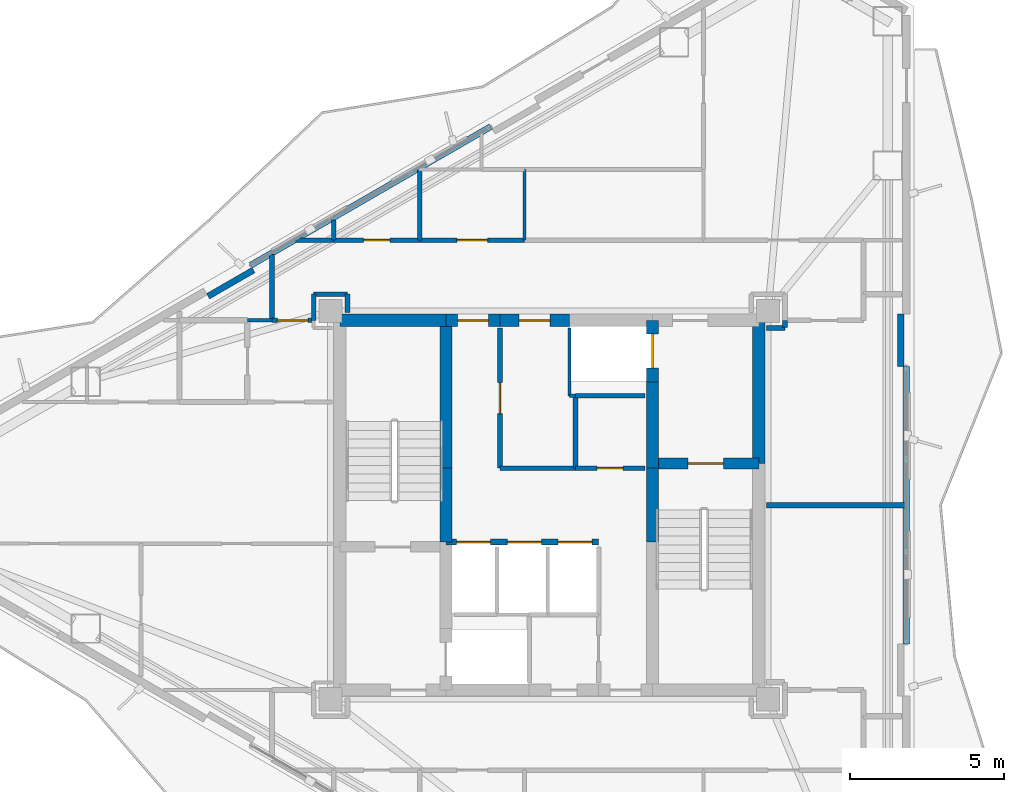
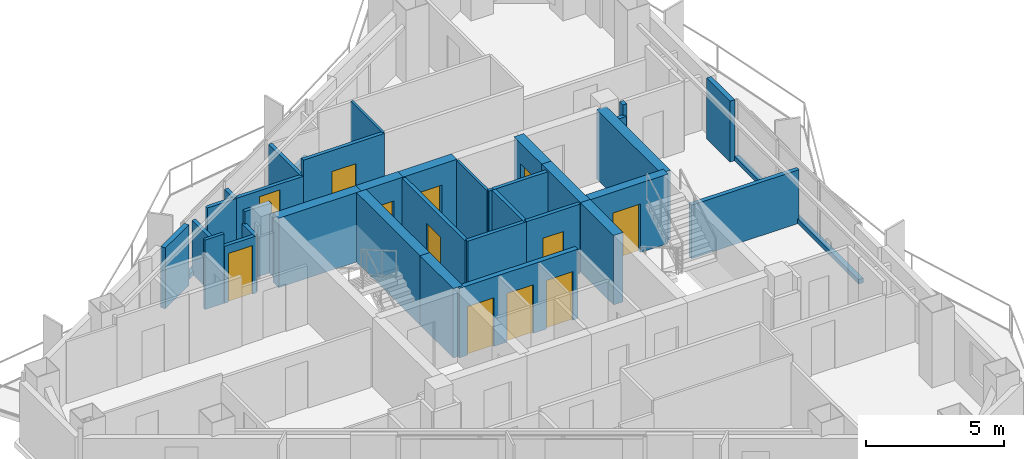
# One storey, part 18 of 21: 37 walls, 12 doors, 12 openings.
"""IFC4 building model written with IfcOpenShell, lengths in metres."""

from ifc_helpers import new_model, si_unit, direction, frame, frame_2d, origin, place, context, subcontext, project, spatial, rectangle, extrude, material, layer, layer_set, type_object, element, fill, save


model = new_model("IFC4")

# Units and contexts
model_context = context("Model", 3, precision=1e-05, world=origin(), true_north=direction((0.0, 1.0)))
body_context = subcontext(model_context, "Body", "Model", "MODEL_VIEW")
ifc_project = project(units=[si_unit("LENGTHUNIT", "METRE"), si_unit("AREAUNIT", "SQUARE_METRE"), si_unit("VOLUMEUNIT", "CUBIC_METRE"), si_unit("PLANEANGLEUNIT", "RADIAN"), si_unit("MASSUNIT", "GRAM", prefix="KILO")], contexts=[model_context])

# Site, building, storey
site_placement = place(None, origin())
site = spatial("IfcSite", under=ifc_project, at=site_placement, CompositionType="ELEMENT")
building_placement = place(site_placement, origin())
building = spatial("IfcBuilding", under=site, at=building_placement, Name="Mersakhor Tower and Convention Hall", CompositionType="ELEMENT")
storey_placement = place(building_placement, frame((0.0, 0.0, 185.39990234375)))
storey = spatial("IfcBuildingStorey", under=building, at=storey_placement, Name="L51", CompositionType="ELEMENT", Elevation=185.39990234375)

# Walls
ifc_material_1 = material(Name="Precast concrete C40/50", Category="concrete")
ifc_layer_1 = layer(ifc_material_1, 0.199951171875)
ifc_layer_set_1 = layer_set([ifc_layer_1], Name="Precast concrete C40/50")
wall_type_1 = type_object("IfcWallType", Name="WL-PAR-200", PredefinedType="PARAPET", material=ifc_layer_set_1)
wall_1_placement = place(storey_placement, frame((19.30908203125, 34.5361328125, 0.0), z_axis=(0.0, 0.0, 1.0), x_axis=(0.866020680503, 0.500008180874, 0.0)))
element("IfcWall", 1, at=wall_1_placement, inside=storey, type_object=wall_type_1, Name="L51 Curtain Wall Upstand Sill F1-B2", PredefinedType="PARAPET", context=body_context, shape_type="SweptSolid", body=[
    extrude(rectangle(XDim=8.998779296875, YDim=0.199951171875, at=frame_2d((4.49951171875, 0.0))), origin(), (0.0, 0.0, 1.0), 0.2001953125),
])
wall_2_placement = place(storey_placement, frame((17.927001953125, 33.5302734375, 0.0), z_axis=(0.0, 0.0, 1.0), x_axis=(0.86605165483, 0.499954529098, 0.0)))
element("IfcWall", 2, at=wall_2_placement, inside=storey, type_object=wall_type_1, Name="L51 Column Pier Cladding Wall F1-C1", PredefinedType="PARAPET", context=body_context, shape_type="SweptSolid", body=[
    extrude(rectangle(XDim=1.699951171875, YDim=0.199951171875, at=frame_2d((0.85009765625, 0.0))), origin(), (0.0, 0.0, 1.0), 2.690185546875),
])
wall_3_placement = place(storey_placement, frame((40.58837890625, 31.24951171875, 0.0), z_axis=(0.0, 0.0, 1.0), x_axis=(0.0, -1.0, 0.0)))
element("IfcWall", 3, at=wall_3_placement, inside=storey, type_object=wall_type_1, Name="L51 Curtain Wall Upstand Sill F2-B2", PredefinedType="PARAPET", context=body_context, shape_type="SweptSolid", body=[
    extrude(rectangle(XDim=8.9990234375, YDim=0.199951171875, at=frame_2d((4.49951171875, 0.0))), origin(), (0.0, 0.0, 1.0), 0.2001953125),
])
wall_4_placement = place(storey_placement, frame((40.408447265625, 32.949462890625, 0.0), z_axis=(0.0, 0.0, 1.0), x_axis=(0.0, -1.0, 0.0)))
element("IfcWall", 4, at=wall_4_placement, inside=storey, type_object=wall_type_1, Name="L51 Column Pier Cladding Wall F2-C1", PredefinedType="PARAPET", context=body_context, shape_type="SweptSolid", body=[
    extrude(rectangle(XDim=1.699951171875, YDim=0.199951171875, at=frame_2d((0.85009765625, 0.0))), origin(), (0.0, 0.0, 1.0), 2.690185546875),
])
ifc_material_2 = material(Name="Moisture-resistant acoustic drywall studwork", Category="other")
ifc_layer_2 = layer(ifc_material_2, 0.175048828125)
ifc_layer_set_2 = layer_set([ifc_layer_2], Name="Moisture-resistant acoustic drywall studwork")
wall_type_2 = type_object("IfcWallType", Name="WL-PLM-175", PredefinedType="PLUMBINGWALL", material=ifc_layer_set_2)
wall_5_placement = place(storey_placement, frame((36.050048828125, 32.5, 0.0), z_axis=(0.0, 0.0, 1.0), x_axis=(1.0, 0.0, 0.0)))
element("IfcWall", 5, at=wall_5_placement, inside=storey, type_object=wall_type_2, Name="L51 Interior Partition Wall P-053", PredefinedType="PLUMBINGWALL", context=body_context, shape_type="SweptSolid", body=[
    extrude(rectangle(XDim=0.599853515625, YDim=0.175048828125, at=frame_2d((0.2998046875, 0.0))), origin(), (0.0, 0.0, 1.0), 2.59521484375),
])
wall_6_placement = place(storey_placement, frame((36.64990234375, 32.514892578125, 0.0), z_axis=(0.0, 0.0, 1.0), x_axis=(0.0, 1.0, 0.0)))
element("IfcWall", 6, at=wall_6_placement, inside=storey, type_object=wall_type_2, Name="L51 Interior Partition Wall P-054", PredefinedType="PLUMBINGWALL", context=body_context, shape_type="SweptSolid", body=[
    extrude(rectangle(XDim=0.235107421875, YDim=0.175048828125, at=frame_2d((0.11767578125, 0.0))), origin(), (0.0, 0.0, 1.0), 3.070068359375),
])
wall_7_placement = place(storey_placement, frame((40.55029296875, 26.75, 0.0), z_axis=(0.0, 0.0, 1.0), x_axis=(-1.0, 0.0, 0.0)))
element("IfcWall", 7, at=wall_7_placement, inside=storey, type_object=wall_type_2, Name="L51 Interior Partition Wall P-056", PredefinedType="PLUMBINGWALL", context=body_context, shape_type="SweptSolid", body=[
    extrude(rectangle(XDim=4.500244140625, YDim=0.175048828125, at=frame_2d((2.25, 0.0))), origin(), (0.0, 0.0, 1.0), 2.364990234375),
])
ifc_material_3 = material(Name="Lightweight gypsum partition", Category="other")
ifc_layer_3 = layer(ifc_material_3, 0.10009765625)
ifc_layer_set_3 = layer_set([ifc_layer_3], Name="Lightweight gypsum partition")
wall_type_3 = type_object("IfcWallType", Name="WL-PRT-100", PredefinedType="PARTITIONING", material=ifc_layer_set_3)
wall_8_placement = place(storey_placement, frame((29.64990234375, 30.300048828125, 0.0), z_axis=(0.0, 0.0, 1.0), x_axis=(0.0, 1.0, 0.0)))
element("IfcWall", 8, at=wall_8_placement, inside=storey, type_object=wall_type_3, Name="L51 Interior Partition Wall P-006", PredefinedType="PARTITIONING", context=body_context, shape_type="SweptSolid", body=[
    extrude(rectangle(XDim=2.199951171875, YDim=0.10009765625, at=frame_2d((1.10009765625, 0.0))), origin(), (0.0, 0.0, 1.0), 3.070068359375),
])
wall_9_placement = place(storey_placement, frame((28.199951171875, 37.64990234375, 0.0), z_axis=(0.0, 0.0, 1.0), x_axis=(0.0, -1.0, 0.0)))
element("IfcWall", 9, at=wall_9_placement, inside=storey, type_object=wall_type_3, Name="L51 Interior Partition Wall P-078", PredefinedType="PARTITIONING", context=body_context, shape_type="SweptSolid", body=[
    extrude(rectangle(XDim=2.2998046875, YDim=0.10009765625, at=frame_2d((1.14990234375, 0.0))), origin(), (0.0, 0.0, 1.0), 3.070068359375),
])
ifc_material_4 = material(Name="Gypsum board acoustic partition", Category="other")
ifc_layer_4 = layer(ifc_material_4, 0.125)
ifc_layer_set_4 = layer_set([ifc_layer_4], Name="Gypsum board acoustic partition")
wall_type_4 = type_object("IfcWallType", Name="WL-PRT-125", PredefinedType="PARTITIONING", material=ifc_layer_set_4)
wall_10_placement = place(storey_placement, frame((29.85009765625, 30.300048828125, 0.0), z_axis=(0.0, 0.0, 1.0), x_axis=(-1.0, 0.0, 0.0)))
element("IfcWall", 10, at=wall_10_placement, inside=storey, type_object=wall_type_4, Name="L51 Interior Partition Wall P-005", PredefinedType="PARTITIONING", context=body_context, shape_type="SweptSolid", body=[
    extrude(rectangle(XDim=0.2001953125, YDim=0.125, at=frame_2d((0.10009765625, 0.0))), origin(), (0.0, 0.0, 1.0), 3.070068359375),
])
wall_11_placement = place(storey_placement, frame((19.199951171875, 32.75, 0.0), z_axis=(0.0, 0.0, 1.0), x_axis=(1.0, 0.0, 0.0)))
element("IfcWall", 11, at=wall_11_placement, inside=storey, type_object=wall_type_4, Name="L51 Interior Partition Wall P-051", PredefinedType="PARTITIONING", context=body_context, shape_type="SweptSolid", body=[
    extrude(rectangle(XDim=0.800048828125, YDim=0.125, at=frame_2d((0.39990234375, 0.0))), origin(), (0.0, 0.0, 1.0), 3.070068359375),
])
ifc_material_5 = material(Name="Fire-rated gypsum board stud partition", Category="other")
ifc_layer_5 = layer(ifc_material_5, 0.14990234375)
ifc_layer_set_5 = layer_set([ifc_layer_5], Name="Fire-rated gypsum board stud partition")
wall_type_5 = type_object("IfcWallType", Name="WL-PRT-150", PredefinedType="PARTITIONING", material=ifc_layer_set_5)
wall_12_placement = place(storey_placement, frame((32.10009765625, 30.300048828125, 0.0), z_axis=(0.0, 0.0, 1.0), x_axis=(-1.0, 0.0, 0.0)))
element("IfcWall", 12, at=wall_12_placement, inside=storey, type_object=wall_type_5, Name="L51 Interior Partition Wall P-004", PredefinedType="PARTITIONING", context=body_context, shape_type="SweptSolid", body=[
    extrude(rectangle(XDim=2.25, YDim=0.14990234375, at=frame_2d((1.125, 0.0))), origin(), (0.0, 0.0, 1.0), 3.070068359375),
])

# Wall, opening, door
wall_13_placement = place(storey_placement, frame((27.39990234375, 32.5, 0.0), z_axis=(0.0, 0.0, 1.0), x_axis=(0.0, -1.0, 0.0)))
wall_13 = element("IfcWall", 13, at=wall_13_placement, inside=storey, type_object=wall_type_5, Name="L51 Interior Partition Wall P-013", PredefinedType="PARTITIONING", context=body_context, shape_type="SweptSolid", body=[
    extrude(rectangle(XDim=4.550048828125, YDim=0.14990234375, at=frame_2d((2.27490234375, 0.0))), origin(), (0.0, 0.0, 1.0), 3.070068359375),
])
opening_1_placement = place(wall_13_placement, frame((1.77490234375, 0.0, 0.0)))
opening_1 = element("IfcOpeningElement", 14, at=opening_1_placement, cuts=wall_13, Name="Opening FD-01", PredefinedType="OPENING", context=body_context, shape_type="SweptSolid", body=[
    extrude(rectangle(XDim=1.0, YDim=2.14990234375, at=frame_2d((0.5, 1.074951171875))), frame((0.0, 0.0849609375, 0.0), z_axis=(0.0, -1.0, 0.0), x_axis=(1.0, 0.0, 0.0)), (0.0, 0.0, 1.0), 0.169921875),
])
ifc_material_6 = material(Name="Fire-rated hardwood leaf and painted steel frame", Category="steel")
door_type_1 = type_object("IfcDoorType", Name="DR-INT-FLT-100x215", OperationType="NOTDEFINED", PredefinedType="DOOR", material=ifc_material_6)
door_1_placement = place(opening_1_placement, origin())
door_1 = element("IfcDoor", 15, at=door_1_placement, inside=storey, type_object=door_type_1, Name="L51 Central Passenger Lift Lobby to Communal Resident Laundry Room Door", OperationType="SINGLE_SWING_LEFT", OverallHeight=2.14990234375, OverallWidth=1.0, PredefinedType="DOOR", context=body_context, shape_type="SweptSolid", body=[
    extrude(rectangle(XDim=1.0, YDim=2.14990234375, at=frame_2d((0.5, 1.074951171875))), frame((0.0, 0.02490234375, 0.0), z_axis=(0.0, -1.0, 0.0), x_axis=(1.0, 0.0, 0.0)), (0.0, 0.0, 1.0), 0.050048828125),
])
fill(opening_1, door_1)

# Wall
wall_14_placement = place(storey_placement, frame((27.39990234375, 27.949951171875, 0.0), z_axis=(0.0, 0.0, 1.0), x_axis=(1.0, 0.0, 0.0)))
element("IfcWall", 16, at=wall_14_placement, inside=storey, type_object=wall_type_5, Name="L51 Interior Partition Wall P-014", PredefinedType="PARTITIONING", context=body_context, shape_type="SweptSolid", body=[
    extrude(rectangle(XDim=2.4501953125, YDim=0.14990234375, at=frame_2d((1.22509765625, 0.0))), origin(), (0.0, 0.0, 1.0), 3.070068359375),
])

# Wall, opening, door
wall_15_placement = place(storey_placement, frame((29.85009765625, 27.949951171875, 0.0), z_axis=(0.0, 0.0, 1.0), x_axis=(1.0, 0.0, 0.0)))
wall_15 = element("IfcWall", 17, at=wall_15_placement, inside=storey, type_object=wall_type_5, Name="L51 Interior Partition Wall P-015", PredefinedType="PARTITIONING", context=body_context, shape_type="SweptSolid", body=[
    extrude(rectangle(XDim=2.25, YDim=0.14990234375, at=frame_2d((1.125, 0.0))), origin(), (0.0, 0.0, 1.0), 3.070068359375),
])
opening_2_placement = place(wall_15_placement, frame((0.699951171875, 0.0, 0.0)))
opening_2 = element("IfcOpeningElement", 18, at=opening_2_placement, cuts=wall_15, Name="Opening SVD-01", PredefinedType="OPENING", context=body_context, shape_type="SweptSolid", body=[
    extrude(rectangle(XDim=0.85009765625, YDim=2.10009765625, at=frame_2d((0.425048828125, 1.050048828125))), frame((0.0, 0.0849609375, 0.0), z_axis=(0.0, -1.0, 0.0), x_axis=(1.0, 0.0, 0.0)), (0.0, 0.0, 1.0), 0.169921875),
])
ifc_material_7 = material(Name="Fire-rated hardwood leaf and painted steel frame", Category="steel")
door_type_2 = type_object("IfcDoorType", Name="DR-INT-SVC-085x210", OperationType="NOTDEFINED", PredefinedType="DOOR", material=ifc_material_7)
door_2_placement = place(opening_2_placement, origin())
door_2 = element("IfcDoor", 19, at=door_2_placement, inside=storey, type_object=door_type_2, Name="L51 Central Passenger Lift Lobby to Resident Pram and Linen Store Room Door", OperationType="SINGLE_SWING_RIGHT", OverallHeight=2.10009765625, OverallWidth=0.85009765625, PredefinedType="DOOR", context=body_context, shape_type="SweptSolid", body=[
    extrude(rectangle(XDim=0.85009765625, YDim=2.10009765625, at=frame_2d((0.425048828125, 1.050048828125))), frame((0.0, 0.02490234375, 0.0), z_axis=(0.0, -1.0, 0.0), x_axis=(1.0, 0.0, 0.0)), (0.0, 0.0, 1.0), 0.050048828125),
])
fill(opening_2, door_2)

# Walls
wall_16_placement = place(storey_placement, frame((22.449951171875, 33.0, 0.0), z_axis=(0.0, 0.0, 1.0), x_axis=(0.0, 1.0, 0.0)))
element("IfcWall", 20, at=wall_16_placement, inside=storey, type_object=wall_type_5, Name="L51 Interior Partition Wall P-022", PredefinedType="PARTITIONING", context=body_context, shape_type="SweptSolid", body=[
    extrude(rectangle(XDim=0.60009765625, YDim=0.14990234375, at=frame_2d((0.300048828125, 0.0))), origin(), (0.0, 0.0, 1.0), 2.59521484375),
])
wall_17_placement = place(storey_placement, frame((22.449951171875, 33.60009765625, 0.0), z_axis=(0.0, 0.0, 1.0), x_axis=(-1.0, 0.0, 0.0)))
element("IfcWall", 21, at=wall_17_placement, inside=storey, type_object=wall_type_5, Name="L51 Interior Partition Wall P-023", PredefinedType="PARTITIONING", context=body_context, shape_type="SweptSolid", body=[
    extrude(rectangle(XDim=1.099853515625, YDim=0.14990234375, at=frame_2d((0.5498046875, 0.0))), origin(), (0.0, 0.0, 1.0), 3.070068359375),
])
wall_18_placement = place(storey_placement, frame((21.35009765625, 33.60009765625, 0.0), z_axis=(0.0, 0.0, 1.0), x_axis=(0.0, -1.0, 0.0)))
element("IfcWall", 22, at=wall_18_placement, inside=storey, type_object=wall_type_5, Name="L51 Interior Partition Wall P-024", PredefinedType="PARTITIONING", context=body_context, shape_type="SweptSolid", body=[
    extrude(rectangle(XDim=0.85009765625, YDim=0.14990234375, at=frame_2d((0.425048828125, 0.0))), origin(), (0.0, 0.0, 1.0), 2.518310546875),
])

# Wall, opening, door
wall_19_placement = place(storey_placement, frame((21.35009765625, 32.75, 0.0), z_axis=(0.0, 0.0, 1.0), x_axis=(-1.0, 0.0, 0.0)))
wall_19 = element("IfcWall", 23, at=wall_19_placement, inside=storey, type_object=wall_type_5, Name="L51 Interior Partition Wall P-025", PredefinedType="PARTITIONING", context=body_context, shape_type="SweptSolid", body=[
    extrude(rectangle(XDim=1.35009765625, YDim=0.14990234375, at=frame_2d((0.675048828125, 0.0))), origin(), (0.0, 0.0, 1.0), 2.518310546875),
])
opening_3_placement = place(wall_19_placement, frame((0.175048828125, 0.0, 0.0)))
opening_3 = element("IfcOpeningElement", 24, at=opening_3_placement, cuts=wall_19, Name="Opening FD-01", PredefinedType="OPENING", context=body_context, shape_type="SweptSolid", body=[
    extrude(rectangle(XDim=1.0, YDim=2.14990234375, at=frame_2d((0.5, 1.074951171875))), frame((0.0, 0.0849609375, 0.0), z_axis=(0.0, -1.0, 0.0), x_axis=(1.0, 0.0, 0.0)), (0.0, 0.0, 1.0), 0.169921875),
])
door_3_placement = place(opening_3_placement, origin())
door_3 = element("IfcDoor", 25, at=door_3_placement, inside=storey, type_object=door_type_1, Name="L51 Apartment Entrance Door (Residential North Gallery Corridor to L51 Flat W3 Apartment Hall)", OperationType="SINGLE_SWING_RIGHT", OverallHeight=2.14990234375, OverallWidth=1.0, PredefinedType="DOOR", context=body_context, shape_type="SweptSolid", body=[
    extrude(rectangle(XDim=1.0, YDim=2.14990234375, at=frame_2d((0.5, 1.074951171875))), frame((0.0, 0.02490234375, 0.0), z_axis=(0.0, -1.0, 0.0), x_axis=(1.0, 0.0, 0.0)), (0.0, 0.0, 1.0), 0.050048828125),
])
fill(opening_3, door_3)

# Walls
wall_20_placement = place(storey_placement, frame((20.0, 32.75, 0.0), z_axis=(0.0, 0.0, 1.0), x_axis=(0.0, 1.0, 0.0)))
element("IfcWall", 26, at=wall_20_placement, inside=storey, type_object=wall_type_5, Name="L51 Interior Partition Wall P-026", PredefinedType="PARTITIONING", context=body_context, shape_type="SweptSolid", body=[
    extrude(rectangle(XDim=2.14111328125, YDim=0.14990234375, at=frame_2d((1.070556640625, 0.0))), origin(), (0.0, 0.0, 1.0), 2.364990234375),
])
wall_21_placement = place(storey_placement, frame((20.7880859375, 35.35009765625, 0.0), z_axis=(0.0, 0.0, 1.0), x_axis=(1.0, 0.0, 0.0)))
element("IfcWall", 27, at=wall_21_placement, inside=storey, type_object=wall_type_5, Name="L51 Interior Partition Wall P-027", PredefinedType="PARTITIONING", context=body_context, shape_type="SweptSolid", body=[
    extrude(rectangle(XDim=1.2119140625, YDim=0.14990234375, at=frame_2d((0.60595703125, 0.0))), origin(), (0.0, 0.0, 1.0), 2.364990234375),
])

# Wall, opening, door
wall_22_placement = place(storey_placement, frame((22.0, 35.35009765625, 0.0), z_axis=(0.0, 0.0, 1.0), x_axis=(1.0, 0.0, 0.0)))
wall_22 = element("IfcWall", 28, at=wall_22_placement, inside=storey, type_object=wall_type_5, Name="L51 Interior Partition Wall P-028", PredefinedType="PARTITIONING", context=body_context, shape_type="SweptSolid", body=[
    extrude(rectangle(XDim=2.800048828125, YDim=0.14990234375, at=frame_2d((1.39990234375, 0.0))), origin(), (0.0, 0.0, 1.0), 2.364990234375),
])
opening_4_placement = place(wall_22_placement, frame((0.97509765625, 0.0, 0.0)))
opening_4 = element("IfcOpeningElement", 29, at=opening_4_placement, cuts=wall_22, Name="Opening SVD-01", PredefinedType="OPENING", context=body_context, shape_type="SweptSolid", body=[
    extrude(rectangle(XDim=0.85009765625, YDim=2.10009765625, at=frame_2d((0.425048828125, 1.050048828125))), frame((0.0, 0.0849609375, 0.0), z_axis=(0.0, -1.0, 0.0), x_axis=(1.0, 0.0, 0.0)), (0.0, 0.0, 1.0), 0.169921875),
])
door_4_placement = place(opening_4_placement, origin())
door_4 = element("IfcDoor", 30, at=door_4_placement, inside=storey, type_object=door_type_2, Name="L51 Residential North Gallery Corridor to L51 Floor Household Store Room 1-1 Door", OperationType="SINGLE_SWING_RIGHT", OverallHeight=2.10009765625, OverallWidth=0.85009765625, PredefinedType="DOOR", context=body_context, shape_type="SweptSolid", body=[
    extrude(rectangle(XDim=0.85009765625, YDim=2.10009765625, at=frame_2d((0.425048828125, 1.050048828125))), frame((0.0, 0.02490234375, 0.0), z_axis=(0.0, -1.0, 0.0), x_axis=(1.0, 0.0, 0.0)), (0.0, 0.0, 1.0), 0.050048828125),
])
fill(opening_4, door_4)

wall_23_placement = place(storey_placement, frame((24.800048828125, 35.35009765625, 0.0), z_axis=(0.0, 0.0, 1.0), x_axis=(1.0, 0.0, 0.0)))
wall_23 = element("IfcWall", 31, at=wall_23_placement, inside=storey, type_object=wall_type_5, Name="L51 Interior Partition Wall P-029", PredefinedType="PARTITIONING", context=body_context, shape_type="SweptSolid", body=[
    extrude(rectangle(XDim=3.39990234375, YDim=0.14990234375, at=frame_2d((1.699951171875, 0.0))), origin(), (0.0, 0.0, 1.0), 3.070068359375),
])
opening_5_placement = place(wall_23_placement, frame((1.199951171875, 0.0, 0.0)))
opening_5 = element("IfcOpeningElement", 32, at=opening_5_placement, cuts=wall_23, Name="Opening FD-01", PredefinedType="OPENING", context=body_context, shape_type="SweptSolid", body=[
    extrude(rectangle(XDim=1.0, YDim=2.14990234375, at=frame_2d((0.5, 1.074951171875))), frame((0.0, 0.0849609375, 0.0), z_axis=(0.0, -1.0, 0.0), x_axis=(1.0, 0.0, 0.0)), (0.0, 0.0, 1.0), 0.169921875),
])
door_5_placement = place(opening_5_placement, origin())
door_5 = element("IfcDoor", 33, at=door_5_placement, inside=storey, type_object=door_type_1, Name="L51 Residential North Gallery Corridor to L51 Floor Shared Tea Pantry 1-2 Door", OperationType="SINGLE_SWING_LEFT", OverallHeight=2.14990234375, OverallWidth=1.0, PredefinedType="DOOR", context=body_context, shape_type="SweptSolid", body=[
    extrude(rectangle(XDim=1.0, YDim=2.14990234375, at=frame_2d((0.5, 1.074951171875))), frame((0.0, 0.02490234375, 0.0), z_axis=(0.0, -1.0, 0.0), x_axis=(1.0, 0.0, 0.0)), (0.0, 0.0, 1.0), 0.050048828125),
])
fill(opening_5, door_5)

# Walls
wall_24_placement = place(storey_placement, frame((29.85009765625, 30.300048828125, 0.0), z_axis=(0.0, 0.0, 1.0), x_axis=(0.0, -1.0, 0.0)))
element("IfcWall", 34, at=wall_24_placement, inside=storey, type_object=wall_type_5, Name="L51 Interior Partition Wall P-066", PredefinedType="PARTITIONING", context=body_context, shape_type="SweptSolid", body=[
    extrude(rectangle(XDim=2.35009765625, YDim=0.14990234375, at=frame_2d((1.175048828125, 0.0))), origin(), (0.0, 0.0, 1.0), 3.070068359375),
])
wall_25_placement = place(storey_placement, frame((24.800048828125, 37.662353515625, 0.0), z_axis=(0.0, 0.0, 1.0), x_axis=(0.0, -1.0, 0.0)))
element("IfcWall", 35, at=wall_25_placement, inside=storey, type_object=wall_type_5, Name="L51 Interior Partition Wall P-074", PredefinedType="PARTITIONING", context=body_context, shape_type="SweptSolid", body=[
    extrude(rectangle(XDim=2.312255859375, YDim=0.14990234375, at=frame_2d((1.15625, 0.0))), origin(), (0.0, 0.0, 1.0), 2.364990234375),
])
wall_26_placement = place(storey_placement, frame((22.0, 35.35009765625, 0.0), z_axis=(0.0, 0.0, 1.0), x_axis=(0.0, 1.0, 0.0)))
element("IfcWall", 36, at=wall_26_placement, inside=storey, type_object=wall_type_5, Name="L51 Interior Partition Wall P-075", PredefinedType="PARTITIONING", context=body_context, shape_type="SweptSolid", body=[
    extrude(rectangle(XDim=0.650634765625, YDim=0.14990234375, at=frame_2d((0.3251953125, 0.0))), origin(), (0.0, 0.0, 1.0), 2.364990234375),
])

# Wall, openings, doors
ifc_material_8 = material(Name="Acoustic concrete blockwork and gypsum board", Category="masonry")
ifc_layer_6 = layer(ifc_material_8, 0.199951171875)
ifc_layer_set_6 = layer_set([ifc_layer_6], Name="Acoustic concrete blockwork and gypsum board")
wall_type_6 = type_object("IfcWallType", Name="WL-PRT-200", PredefinedType="PARTITIONING", material=ifc_layer_set_6)
wall_27_placement = place(storey_placement, frame((25.64990234375, 25.550048828125, 0.0), z_axis=(0.0, 0.0, 1.0), x_axis=(1.0, 0.0, 0.0)))
wall_27 = element("IfcWall", 37, at=wall_27_placement, inside=storey, type_object=wall_type_6, Name="L51 High-Rise Lift Bank Front Wall", PredefinedType="PARTITIONING", context=body_context, shape_type="SweptSolid", body=[
    extrude(rectangle(XDim=4.9501953125, YDim=0.199951171875, at=frame_2d((2.47509765625, 0.0))), origin(), (0.0, 0.0, 1.0), 3.070068359375),
])
opening_6_placement = place(wall_27_placement, frame((0.340087890625, 0.0, 0.0)))
opening_6 = element("IfcOpeningElement", 38, at=opening_6_placement, cuts=wall_27, Name="Opening LD-P4", PredefinedType="OPENING", context=body_context, shape_type="SweptSolid", body=[
    extrude(rectangle(XDim=1.10009765625, YDim=2.14990234375, at=frame_2d((0.550048828125, 1.074951171875))), frame((0.0, 0.10986328125, 0.0), z_axis=(0.0, -1.0, 0.0), x_axis=(1.0, 0.0, 0.0)), (0.0, 0.0, 1.0), 0.219970703125),
])
opening_7_placement = place(wall_27_placement, frame((1.989990234375, 0.0, 0.0)))
opening_7 = element("IfcOpeningElement", 39, at=opening_7_placement, cuts=wall_27, Name="Opening LD-P5", PredefinedType="OPENING", context=body_context, shape_type="SweptSolid", body=[
    extrude(rectangle(XDim=1.10009765625, YDim=2.14990234375, at=frame_2d((0.550048828125, 1.074951171875))), frame((0.0, 0.10986328125, 0.0), z_axis=(0.0, -1.0, 0.0), x_axis=(1.0, 0.0, 0.0)), (0.0, 0.0, 1.0), 0.219970703125),
])
opening_8_placement = place(wall_27_placement, frame((3.639892578125, 0.0, 0.0)))
opening_8 = element("IfcOpeningElement", 40, at=opening_8_placement, cuts=wall_27, Name="Opening LD-P6", PredefinedType="OPENING", context=body_context, shape_type="SweptSolid", body=[
    extrude(rectangle(XDim=1.10009765625, YDim=2.14990234375, at=frame_2d((0.550048828125, 1.074951171875))), frame((0.0, 0.10986328125, 0.0), z_axis=(0.0, -1.0, 0.0), x_axis=(1.0, 0.0, 0.0)), (0.0, 0.0, 1.0), 0.219970703125),
])
ifc_material_9 = material(Name="Fire-rated brushed stainless steel sliding landing door", Category="steel")
door_type_3 = type_object("IfcDoorType", Name="DR-LIFT-SLD-110x215", OperationType="NOTDEFINED", PredefinedType="DOOR", material=ifc_material_9)
door_6_placement = place(opening_6_placement, origin())
door_6 = element("IfcDoor", 41, at=door_6_placement, inside=storey, type_object=door_type_3, Name="L51 Lift Landing Door LD-P4", OperationType="SLIDING_TO_LEFT", OverallHeight=2.14990234375, OverallWidth=1.10009765625, PredefinedType="DOOR", context=body_context, shape_type="SweptSolid", body=[
    extrude(rectangle(XDim=1.10009765625, YDim=2.14990234375, at=frame_2d((0.550048828125, 1.074951171875))), frame((0.0, 0.02490234375, 0.0), z_axis=(0.0, -1.0, 0.0), x_axis=(1.0, 0.0, 0.0)), (0.0, 0.0, 1.0), 0.050048828125),
])
fill(opening_6, door_6)
door_7_placement = place(opening_7_placement, origin())
door_7 = element("IfcDoor", 42, at=door_7_placement, inside=storey, type_object=door_type_3, Name="L51 Lift Landing Door LD-P5", OperationType="SLIDING_TO_LEFT", OverallHeight=2.14990234375, OverallWidth=1.10009765625, PredefinedType="DOOR", context=body_context, shape_type="SweptSolid", body=[
    extrude(rectangle(XDim=1.10009765625, YDim=2.14990234375, at=frame_2d((0.550048828125, 1.074951171875))), frame((0.0, 0.02490234375, 0.0), z_axis=(0.0, -1.0, 0.0), x_axis=(1.0, 0.0, 0.0)), (0.0, 0.0, 1.0), 0.050048828125),
])
fill(opening_7, door_7)
door_8_placement = place(opening_8_placement, origin())
door_8 = element("IfcDoor", 43, at=door_8_placement, inside=storey, type_object=door_type_3, Name="L51 Lift Landing Door LD-P6", OperationType="SLIDING_TO_LEFT", OverallHeight=2.14990234375, OverallWidth=1.10009765625, PredefinedType="DOOR", context=body_context, shape_type="SweptSolid", body=[
    extrude(rectangle(XDim=1.10009765625, YDim=2.14990234375, at=frame_2d((0.550048828125, 1.074951171875))), frame((0.0, 0.02490234375, 0.0), z_axis=(0.0, -1.0, 0.0), x_axis=(1.0, 0.0, 0.0)), (0.0, 0.0, 1.0), 0.050048828125),
])
fill(opening_8, door_8)

# Wall, opening, door
ifc_material_10 = material(Name="Concrete C50/60", Category="concrete")
ifc_layer_7 = layer(ifc_material_10, 0.35009765625)
ifc_layer_set_7 = layer_set([ifc_layer_7], Name="Concrete C50/60")
wall_type_7 = type_object("IfcWallType", Name="WL-SHR-350", PredefinedType="SHEAR", material=ifc_layer_set_7)
wall_28_placement = place(storey_placement, frame((32.35009765625, 28.10009765625, 0.0), z_axis=(0.0, 0.0, 1.0), x_axis=(1.0, 0.0, 0.0)))
wall_28 = element("IfcWall", 44, at=wall_28_placement, inside=storey, type_object=wall_type_7, Name="L51 Core Wall CS-ST2-N", PredefinedType="SHEAR", context=body_context, shape_type="SweptSolid", body=[
    extrude(rectangle(XDim=3.449951171875, YDim=0.35009765625, at=frame_2d((1.72509765625, 0.0))), origin(), (0.0, 0.0, 1.0), 3.070068359375),
])
opening_9_placement = place(wall_28_placement, frame((1.14990234375, 0.0, 0.0)))
opening_9 = element("IfcOpeningElement", 45, at=opening_9_placement, cuts=wall_28, Name="Opening SD-01", PredefinedType="OPENING", context=body_context, shape_type="SweptSolid", body=[
    extrude(rectangle(XDim=1.14990234375, YDim=2.14990234375, at=frame_2d((0.574951171875, 1.074951171875))), frame((0.0, 0.18505859375, 0.0), z_axis=(0.0, -1.0, 0.0), x_axis=(1.0, 0.0, 0.0)), (0.0, 0.0, 1.0), 0.3701171875),
])
ifc_material_11 = material(Name="Fire-rated hardwood leaf and painted steel frame", Category="steel")
door_type_4 = type_object("IfcDoorType", Name="DR-INT-STAIR-115x215", OperationType="NOTDEFINED", PredefinedType="DOOR", material=ifc_material_11)
door_9_placement = place(opening_9_placement, origin())
door_9 = element("IfcDoor", 46, at=door_9_placement, inside=storey, type_object=door_type_4, Name="L51 Exit Stair ST-2 Enclosure Door", OperationType="SINGLE_SWING_RIGHT", OverallHeight=2.14990234375, OverallWidth=1.14990234375, PredefinedType="DOOR", context=body_context, shape_type="SweptSolid", body=[
    extrude(rectangle(XDim=1.14990234375, YDim=2.14990234375, at=frame_2d((0.574951171875, 1.074951171875))), frame((0.0, 0.02490234375, 0.0), z_axis=(0.0, -1.0, 0.0), x_axis=(1.0, 0.0, 0.0)), (0.0, 0.0, 1.0), 0.050048828125),
])
fill(opening_9, door_9)

# Wall
ifc_material_12 = material(Name="Concrete C60/75", Category="concrete")
ifc_layer_8 = layer(ifc_material_12, 0.39990234375)
ifc_layer_set_8 = layer_set([ifc_layer_8], Name="Concrete C60/75")
wall_type_8 = type_object("IfcWallType", Name="WL-SHR-400", PredefinedType="SHEAR", material=ifc_layer_set_8)
wall_29_placement = place(storey_placement, frame((22.199951171875, 32.75, 0.0), z_axis=(0.0, 0.0, 1.0), x_axis=(1.0, 0.0, 0.0)))
element("IfcWall", 47, at=wall_29_placement, inside=storey, type_object=wall_type_8, Name="L51 Core Wall CW-N1", PredefinedType="SHEAR", context=body_context, shape_type="SweptSolid", body=[
    extrude(rectangle(XDim=3.449951171875, YDim=0.39990234375, at=frame_2d((1.72509765625, 0.0))), origin(), (0.0, 0.0, 1.0), 3.070068359375),
])

# Wall, opening, door
wall_30_placement = place(storey_placement, frame((25.64990234375, 32.75, 0.0), z_axis=(0.0, 0.0, 1.0), x_axis=(1.0, 0.0, 0.0)))
wall_30 = element("IfcWall", 48, at=wall_30_placement, inside=storey, type_object=wall_type_8, Name="L51 Core Wall CW-N2A", PredefinedType="SHEAR", context=body_context, shape_type="SweptSolid", body=[
    extrude(rectangle(XDim=1.75, YDim=0.39990234375, at=frame_2d((0.875, 0.0))), origin(), (0.0, 0.0, 1.0), 3.070068359375),
])
opening_10_placement = place(wall_30_placement, frame((0.375, 0.0, 0.0)))
opening_10 = element("IfcOpeningElement", 49, at=opening_10_placement, cuts=wall_30, Name="Opening CFD-01", PredefinedType="OPENING", context=body_context, shape_type="SweptSolid", body=[
    extrude(rectangle(XDim=1.0, YDim=2.14990234375, at=frame_2d((0.5, 1.074951171875))), frame((0.0, 0.2099609375, 0.0), z_axis=(0.0, -1.0, 0.0), x_axis=(1.0, 0.0, 0.0)), (0.0, 0.0, 1.0), 0.419921875),
])
ifc_material_13 = material(Name="Fire-rated hardwood leaf and painted steel frame", Category="steel")
door_type_5 = type_object("IfcDoorType", Name="DR-CORE-FD-100x215", OperationType="NOTDEFINED", PredefinedType="DOOR", material=ifc_material_13)
door_10_placement = place(opening_10_placement, origin())
door_10 = element("IfcDoor", 50, at=door_10_placement, inside=storey, type_object=door_type_5, Name="L51 Lift Lobby North Corridor Door", OperationType="SINGLE_SWING_LEFT", OverallHeight=2.14990234375, OverallWidth=1.0, PredefinedType="DOOR", context=body_context, shape_type="SweptSolid", body=[
    extrude(rectangle(XDim=1.0, YDim=2.14990234375, at=frame_2d((0.5, 1.074951171875))), frame((0.0, 0.02490234375, 0.0), z_axis=(0.0, -1.0, 0.0), x_axis=(1.0, 0.0, 0.0)), (0.0, 0.0, 1.0), 0.050048828125),
])
fill(opening_10, door_10)

wall_31_placement = place(storey_placement, frame((27.39990234375, 32.75, 0.0), z_axis=(0.0, 0.0, 1.0), x_axis=(1.0, 0.0, 0.0)))
wall_31 = element("IfcWall", 51, at=wall_31_placement, inside=storey, type_object=wall_type_8, Name="L51 Core Wall CW-N2B", PredefinedType="SHEAR", context=body_context, shape_type="SweptSolid", body=[
    extrude(rectangle(XDim=2.25, YDim=0.39990234375, at=frame_2d((1.125, 0.0))), origin(), (0.0, 0.0, 1.0), 3.070068359375),
])
opening_11_placement = place(wall_31_placement, frame((0.625, 0.0, 0.0)))
opening_11 = element("IfcOpeningElement", 52, at=opening_11_placement, cuts=wall_31, Name="Opening FD-01", PredefinedType="OPENING", context=body_context, shape_type="SweptSolid", body=[
    extrude(rectangle(XDim=1.0, YDim=2.14990234375, at=frame_2d((0.5, 1.074951171875))), frame((0.0, 0.2099609375, 0.0), z_axis=(0.0, -1.0, 0.0), x_axis=(1.0, 0.0, 0.0)), (0.0, 0.0, 1.0), 0.419921875),
])
door_11_placement = place(opening_11_placement, origin())
door_11 = element("IfcDoor", 53, at=door_11_placement, inside=storey, type_object=door_type_1, Name="L51 Residential North Gallery Corridor to Communal Resident Laundry Room Door", OperationType="SINGLE_SWING_RIGHT", OverallHeight=2.14990234375, OverallWidth=1.0, PredefinedType="DOOR", context=body_context, shape_type="SweptSolid", body=[
    extrude(rectangle(XDim=1.0, YDim=2.14990234375, at=frame_2d((0.5, 1.074951171875))), frame((0.0, 0.02490234375, 0.0), z_axis=(0.0, -1.0, 0.0), x_axis=(1.0, 0.0, 0.0)), (0.0, 0.0, 1.0), 0.050048828125),
])
fill(opening_11, door_11)

# Walls
wall_32_placement = place(storey_placement, frame((35.800048828125, 32.75, 0.0), z_axis=(0.0, 0.0, 1.0), x_axis=(0.0, -1.0, 0.0)))
element("IfcWall", 54, at=wall_32_placement, inside=storey, type_object=wall_type_8, Name="L51 Core Wall CW-E1", PredefinedType="SHEAR", context=body_context, shape_type="SweptSolid", body=[
    extrude(rectangle(XDim=4.64990234375, YDim=0.39990234375, at=frame_2d((2.324951171875, 0.0))), origin(), (0.0, 0.0, 1.0), 3.070068359375),
])
wall_33_placement = place(storey_placement, frame((25.64990234375, 25.550048828125, 0.0), z_axis=(0.0, 0.0, 1.0), x_axis=(0.0, 1.0, 0.0)))
element("IfcWall", 55, at=wall_33_placement, inside=storey, type_object=wall_type_8, Name="L51 Core Wall CS-W-LOB", PredefinedType="SHEAR", context=body_context, shape_type="SweptSolid", body=[
    extrude(rectangle(XDim=2.39990234375, YDim=0.39990234375, at=frame_2d((1.199951171875, 0.0))), origin(), (0.0, 0.0, 1.0), 3.070068359375),
])
wall_34_placement = place(storey_placement, frame((25.64990234375, 27.949951171875, 0.0), z_axis=(0.0, 0.0, 1.0), x_axis=(0.0, 1.0, 0.0)))
element("IfcWall", 56, at=wall_34_placement, inside=storey, type_object=wall_type_8, Name="L51 Core Wall CS-W-ST1", PredefinedType="SHEAR", context=body_context, shape_type="SweptSolid", body=[
    extrude(rectangle(XDim=4.800048828125, YDim=0.39990234375, at=frame_2d((2.39990234375, 0.0))), origin(), (0.0, 0.0, 1.0), 3.070068359375),
])
wall_35_placement = place(storey_placement, frame((32.35009765625, 25.550048828125, 0.0), z_axis=(0.0, 0.0, 1.0), x_axis=(0.0, 1.0, 0.0)))
element("IfcWall", 57, at=wall_35_placement, inside=storey, type_object=wall_type_8, Name="L51 Core Wall CS-E-LOB", PredefinedType="SHEAR", context=body_context, shape_type="SweptSolid", body=[
    extrude(rectangle(XDim=2.39990234375, YDim=0.39990234375, at=frame_2d((1.199951171875, 0.0))), origin(), (0.0, 0.0, 1.0), 3.070068359375),
])
wall_36_placement = place(storey_placement, frame((32.35009765625, 27.949951171875, 0.0), z_axis=(0.0, 0.0, 1.0), x_axis=(0.0, 1.0, 0.0)))
element("IfcWall", 58, at=wall_36_placement, inside=storey, type_object=wall_type_8, Name="L51 Core Wall CS-E-MID", PredefinedType="SHEAR", context=body_context, shape_type="SweptSolid", body=[
    extrude(rectangle(XDim=2.800048828125, YDim=0.39990234375, at=frame_2d((1.39990234375, 0.0))), origin(), (0.0, 0.0, 1.0), 3.070068359375),
])

# Wall, opening, door
wall_37_placement = place(storey_placement, frame((32.35009765625, 30.75, 0.0), z_axis=(0.0, 0.0, 1.0), x_axis=(0.0, 1.0, 0.0)))
wall_37 = element("IfcWall", 59, at=wall_37_placement, inside=storey, type_object=wall_type_8, Name="L51 Core Wall CS-E-FFL", PredefinedType="SHEAR", context=body_context, shape_type="SweptSolid", body=[
    extrude(rectangle(XDim=2.0, YDim=0.39990234375, at=frame_2d((1.0, 0.0))), origin(), (0.0, 0.0, 1.0), 3.070068359375),
])
opening_12_placement = place(wall_37_placement, frame((0.449951171875, 0.0, 0.0)))
opening_12 = element("IfcOpeningElement", 60, at=opening_12_placement, cuts=wall_37, Name="Opening LD-FFL2", PredefinedType="OPENING", context=body_context, shape_type="SweptSolid", body=[
    extrude(rectangle(XDim=1.10009765625, YDim=2.14990234375, at=frame_2d((0.550048828125, 1.074951171875))), frame((0.0, 0.2099609375, 0.0), z_axis=(0.0, -1.0, 0.0), x_axis=(1.0, 0.0, 0.0)), (0.0, 0.0, 1.0), 0.419921875),
])
door_12_placement = place(opening_12_placement, origin())
door_12 = element("IfcDoor", 61, at=door_12_placement, inside=storey, type_object=door_type_3, Name="L51 Firefighting Lift Landing Door LD-FFL2", OperationType="SLIDING_TO_LEFT", OverallHeight=2.14990234375, OverallWidth=1.10009765625, PredefinedType="DOOR", context=body_context, shape_type="SweptSolid", body=[
    extrude(rectangle(XDim=1.10009765625, YDim=2.14990234375, at=frame_2d((0.550048828125, 1.074951171875))), frame((0.0, 0.02490234375, 0.0), z_axis=(0.0, -1.0, 0.0), x_axis=(1.0, 0.0, 0.0)), (0.0, 0.0, 1.0), 0.050048828125),
])
fill(opening_12, door_12)

save(model, "model.ifc")
